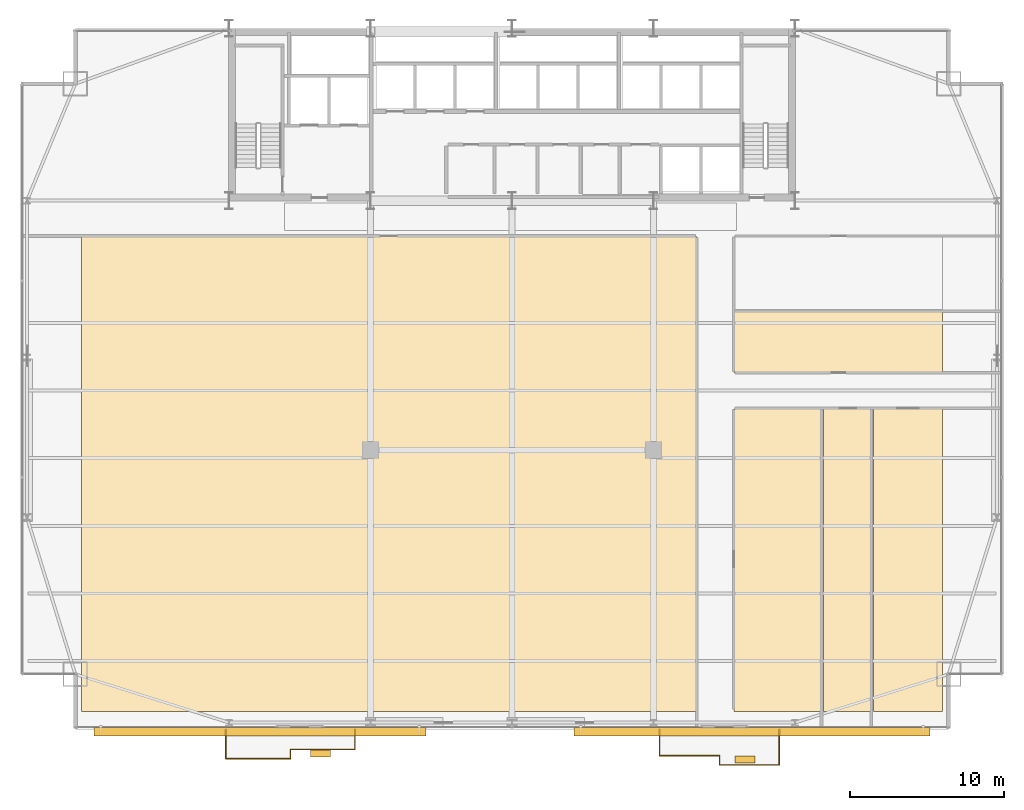
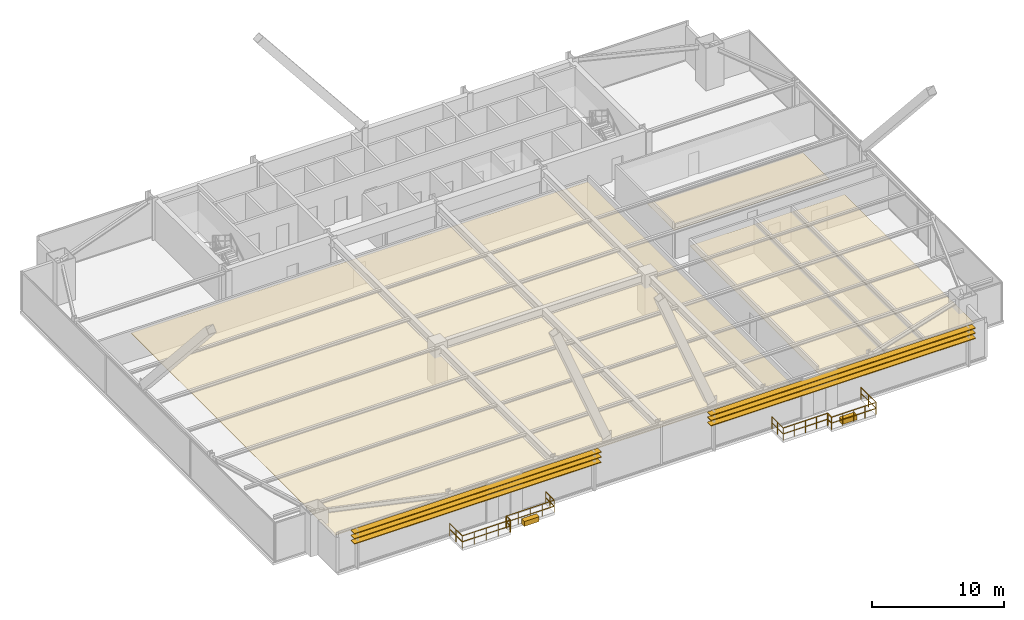
# One storey, part 34 of 35: 10 railings, 7 coverings, 6 shading devices.
"""IFC4 building model written with IfcOpenShell, lengths in metres."""

from ifc_helpers import new_model, si_unit, direction, frame, origin, origin_2d, place, context, subcontext, project, spatial, polyline, rectangle, outline, extrude, source, transform, mapped, material, layer, layer_set, type_object, type_shapes, element, save


model = new_model("IFC4")

# Units and contexts
model_context = context("Model", 3, precision=1e-05, world=origin(), true_north=direction((0.0, 1.0)))
body_context = subcontext(model_context, "Body", "Model", "MODEL_VIEW")
ifc_project = project(units=[si_unit("LENGTHUNIT", "METRE"), si_unit("AREAUNIT", "SQUARE_METRE"), si_unit("VOLUMEUNIT", "CUBIC_METRE"), si_unit("PLANEANGLEUNIT", "RADIAN"), si_unit("MASSUNIT", "GRAM", prefix="KILO")], contexts=[model_context])

# Site, building, storey
site_placement = place(None, origin())
site = spatial("IfcSite", under=ifc_project, at=site_placement, CompositionType="ELEMENT")
building_placement = place(site_placement, origin())
building = spatial("IfcBuilding", under=site, at=building_placement, Name="Varnel Quay Broadcast Tower", CompositionType="ELEMENT")
storey_placement = place(building_placement, frame((0.0, 0.0, 66.60009765625)))
storey = spatial("IfcBuildingStorey", under=building, at=storey_placement, Name="L15", CompositionType="ELEMENT", Elevation=66.60009765625)

# Coverings
ifc_material_1 = material(Name="Micro-Perforated Acoustic Ceiling Tile")
ifc_layer_1 = layer(ifc_material_1, 0.0400390625, Name="Micro-Perforated Acoustic Ceiling Tile")
ifc_layer_set_1 = layer_set([ifc_layer_1], Name="Micro-Perforated Acoustic Ceiling Tile")
covering_type_1 = type_object("IfcCoveringType", Name="Cov_AcousticCeiling", PredefinedType="CEILING", material=ifc_layer_set_1)
covering_1_placement = place(storey_placement, frame((0.0, 0.0, 2.579833984375)))
element("IfcCovering", 1, at=covering_1_placement, inside=storey, type_object=covering_type_1, Name="L15 Broadcast Seminar Room 1 Acoustic Ceiling", PredefinedType="CEILING", context=body_context, shape_type="SweptSolid", body=[
    extrude(outline(polyline([(5.985107421875, 2.375), (45.985107421875, 2.375), (45.985107421875, 33.264892578125), (5.985107421875, 33.264892578125), (5.985107421875, 2.375)])), origin(), (0.0, 0.0, 1.0), 0.0400390625),
])
covering_2_placement = place(storey_placement, frame((0.0, 0.0, 2.579833984375)))
element("IfcCovering", 2, at=covering_2_placement, inside=storey, type_object=covering_type_1, Name="L15 Press Briefing Room 2 Acoustic Ceiling", PredefinedType="CEILING", context=body_context, shape_type="SweptSolid", body=[
    extrude(outline(polyline([(48.455078125, 2.375), (54.195068359375, 2.375), (54.195068359375, 22.06494140625), (48.455078125, 22.06494140625), (48.455078125, 2.375)])), origin(), (0.0, 0.0, 1.0), 0.0400390625),
])
covering_3_placement = place(storey_placement, frame((0.0, 0.0, 2.579833984375)))
element("IfcCovering", 3, at=covering_3_placement, inside=storey, type_object=covering_type_1, Name="L15 Editorial Huddle Room 3 Acoustic Ceiling", PredefinedType="CEILING", context=body_context, shape_type="SweptSolid", body=[
    extrude(outline(polyline([(54.264892578125, 2.375), (57.43505859375, 2.375), (57.43505859375, 22.06494140625), (54.264892578125, 22.06494140625), (54.264892578125, 2.375)])), origin(), (0.0, 0.0, 1.0), 0.0400390625),
])
covering_4_placement = place(storey_placement, frame((0.0, 0.0, 2.579833984375)))
element("IfcCovering", 4, at=covering_4_placement, inside=storey, type_object=covering_type_1, Name="L15 Journalism Training Studio 4 Acoustic Ceiling", PredefinedType="CEILING", context=body_context, shape_type="SweptSolid", body=[
    extrude(outline(polyline([(57.5048828125, 2.375), (62.014892578125, 2.375), (62.014892578125, 22.06494140625), (57.5048828125, 22.06494140625), (57.5048828125, 2.375)])), origin(), (0.0, 0.0, 1.0), 0.0400390625),
])
covering_5_placement = place(storey_placement, frame((0.0, 0.0, 2.579833984375)))
element("IfcCovering", 5, at=covering_5_placement, inside=storey, type_object=covering_type_1, Name="L15 Catering Kitchen 5 Acoustic Ceiling", PredefinedType="CEILING", context=body_context, shape_type="SweptSolid", body=[
    extrude(outline(polyline([(48.455078125, 24.43505859375), (62.014892578125, 24.43505859375), (62.014892578125, 28.465087890625), (48.455078125, 28.465087890625), (48.455078125, 24.43505859375)])), origin(), (0.0, 0.0, 1.0), 0.0400390625),
])

# Railings
ifc_material_2 = material(Name="Anodised Bronze Aluminium 6063-T6", Category="aluminium")
railing_type = type_object("IfcRailingType", Name="Rail_Balustrade1150", PredefinedType="BALUSTRADE", material=ifc_material_2)
railing_1_placement = place(storey_placement, frame((15.389892578125, -0.695068359375, 0.0)))
element("IfcRailing", 6, at=railing_1_placement, inside=storey, type_object=railing_type, Name="L15 Terrace 1 Guard 1", PredefinedType="BALUSTRADE", context=body_context, shape_type="SweptSolid", body=[
    extrude(rectangle(XDim=0.048095703125, YDim=0.048095703125, at=origin_2d()), frame((0.0, 0.0, 1.1259765625), z_axis=(1.0, 0.0, 0.0), x_axis=(0.0, 1.0, 0.0)), (0.0, 0.0, 1.0), 4.2001953125),
    extrude(rectangle(XDim=0.048095703125, YDim=0.048095703125, at=origin_2d()), frame((0.0, 0.0, 0.574951171875), z_axis=(1.0, 0.0, 0.0), x_axis=(0.0, 1.0, 0.0)), (0.0, 0.0, 1.0), 4.2001953125),
    extrude(rectangle(XDim=0.0419921875, YDim=0.0419921875, at=origin_2d()), origin(), (0.0, 0.0, 1.0), 1.101806640625),
    extrude(rectangle(XDim=0.0419921875, YDim=0.0419921875, at=origin_2d()), frame((1.050048828125, 0.0, 0.0)), (0.0, 0.0, 1.0), 1.101806640625),
    extrude(rectangle(XDim=0.0419921875, YDim=0.0419921875, at=origin_2d()), frame((2.10009765625, 0.0, 0.0)), (0.0, 0.0, 1.0), 1.101806640625),
    extrude(rectangle(XDim=0.0419921875, YDim=0.0419921875, at=origin_2d()), frame((3.150146484375, 0.0, 0.0)), (0.0, 0.0, 1.0), 1.101806640625),
    extrude(rectangle(XDim=0.0419921875, YDim=0.0419921875, at=origin_2d()), frame((4.2001953125, 0.0, 0.0)), (0.0, 0.0, 1.0), 1.101806640625),
])
railing_2_placement = place(storey_placement, frame((19.590087890625, -0.695068359375, 0.0)))
element("IfcRailing", 7, at=railing_2_placement, inside=storey, type_object=railing_type, Name="L15 Terrace 1 Guard 2", PredefinedType="BALUSTRADE", context=body_context, shape_type="SweptSolid", body=[
    extrude(rectangle(XDim=0.048095703125, YDim=0.048095703125, at=origin_2d()), frame((0.0, 0.0, 1.1259765625), z_axis=(0.0, 1.0, 0.0), x_axis=(-1.0, 0.0, 0.0)), (0.0, 0.0, 1.0), 0.60009765625),
    extrude(rectangle(XDim=0.048095703125, YDim=0.048095703125, at=origin_2d()), frame((0.0, 0.0, 0.574951171875), z_axis=(0.0, 1.0, 0.0), x_axis=(-1.0, 0.0, 0.0)), (0.0, 0.0, 1.0), 0.60009765625),
    extrude(rectangle(XDim=0.0419921875, YDim=0.0419921875, at=origin_2d()), origin(), (0.0, 0.0, 1.0), 1.101806640625),
    extrude(rectangle(XDim=0.0419921875, YDim=0.0419921875, at=origin_2d()), frame((0.0, 0.60009765625, 0.0)), (0.0, 0.0, 1.0), 1.101806640625),
])
railing_3_placement = place(storey_placement, frame((19.590087890625, -0.094970703125, 0.0)))
element("IfcRailing", 8, at=railing_3_placement, inside=storey, type_object=railing_type, Name="L15 Terrace 1 Guard 3", PredefinedType="BALUSTRADE", context=body_context, shape_type="SweptSolid", body=[
    extrude(rectangle(XDim=0.048095703125, YDim=0.048095703125, at=origin_2d()), frame((0.0, 0.0, 1.1259765625), z_axis=(1.0, 0.0, 0.0), x_axis=(0.0, 1.0, 0.0)), (0.0, 0.0, 1.0), 4.199951171875),
    extrude(rectangle(XDim=0.048095703125, YDim=0.048095703125, at=origin_2d()), frame((0.0, 0.0, 0.574951171875), z_axis=(1.0, 0.0, 0.0), x_axis=(0.0, 1.0, 0.0)), (0.0, 0.0, 1.0), 4.199951171875),
    extrude(rectangle(XDim=0.0419921875, YDim=0.0419921875, at=origin_2d()), origin(), (0.0, 0.0, 1.0), 1.101806640625),
    extrude(rectangle(XDim=0.0419921875, YDim=0.0419921875, at=origin_2d()), frame((1.050048828125, 0.0, 0.0)), (0.0, 0.0, 1.0), 1.101806640625),
    extrude(rectangle(XDim=0.0419921875, YDim=0.0419921875, at=origin_2d()), frame((2.10009765625, 0.0, 0.0)), (0.0, 0.0, 1.0), 1.101806640625),
    extrude(rectangle(XDim=0.0419921875, YDim=0.0419921875, at=origin_2d()), frame((3.14990234375, 0.0, 0.0)), (0.0, 0.0, 1.0), 1.101806640625),
    extrude(rectangle(XDim=0.0419921875, YDim=0.0419921875, at=origin_2d()), frame((4.199951171875, 0.0, 0.0)), (0.0, 0.0, 1.0), 1.101806640625),
])
railing_4_placement = place(storey_placement, frame((23.7900390625, -0.094970703125, 0.0)))
element("IfcRailing", 9, at=railing_4_placement, inside=storey, type_object=railing_type, Name="L15 Terrace 1 Guard 4", PredefinedType="BALUSTRADE", context=body_context, shape_type="SweptSolid", body=[
    extrude(rectangle(XDim=0.048095703125, YDim=0.048095703125, at=origin_2d()), frame((0.0, 0.0, 1.1259765625), z_axis=(0.0, 1.0, 0.0), x_axis=(-1.0, 0.0, 0.0)), (0.0, 0.0, 1.0), 1.294921875),
    extrude(rectangle(XDim=0.048095703125, YDim=0.048095703125, at=origin_2d()), frame((0.0, 0.0, 0.574951171875), z_axis=(0.0, 1.0, 0.0), x_axis=(-1.0, 0.0, 0.0)), (0.0, 0.0, 1.0), 1.294921875),
    extrude(rectangle(XDim=0.0419921875, YDim=0.0419921875, at=origin_2d()), origin(), (0.0, 0.0, 1.0), 1.101806640625),
    extrude(rectangle(XDim=0.0419921875, YDim=0.0419921875, at=origin_2d()), frame((0.0, 0.6474609375, 0.0)), (0.0, 0.0, 1.0), 1.101806640625),
    extrude(rectangle(XDim=0.0419921875, YDim=0.0419921875, at=origin_2d()), frame((0.0, 1.294921875, 0.0)), (0.0, 0.0, 1.0), 1.101806640625),
])
railing_5_placement = place(storey_placement, frame((15.389892578125, 1.199951171875, 0.0)))
element("IfcRailing", 10, at=railing_5_placement, inside=storey, type_object=railing_type, Name="L15 Terrace 1 Guard 6", PredefinedType="BALUSTRADE", context=body_context, shape_type="SweptSolid", body=[
    extrude(rectangle(XDim=0.048095703125, YDim=0.048095703125, at=origin_2d()), frame((0.0, 0.0, 1.1259765625), z_axis=(0.0, -1.0, 0.0), x_axis=(1.0, 0.0, 0.0)), (0.0, 0.0, 1.0), 1.89501953125),
    extrude(rectangle(XDim=0.048095703125, YDim=0.048095703125, at=origin_2d()), frame((0.0, 0.0, 0.574951171875), z_axis=(0.0, -1.0, 0.0), x_axis=(1.0, 0.0, 0.0)), (0.0, 0.0, 1.0), 1.89501953125),
    extrude(rectangle(XDim=0.0419921875, YDim=0.0419921875, at=origin_2d()), origin(), (0.0, 0.0, 1.0), 1.101806640625),
    extrude(rectangle(XDim=0.0419921875, YDim=0.0419921875, at=origin_2d()), frame((0.0, -0.947509765625, 0.0)), (0.0, 0.0, 1.0), 1.101806640625),
    extrude(rectangle(XDim=0.0419921875, YDim=0.0419921875, at=origin_2d()), frame((0.0, -1.89501953125, 0.0)), (0.0, 0.0, 1.0), 1.101806640625),
])
railing_6_placement = place(storey_placement, frame((43.60009765625, -0.5048828125, 0.0)))
element("IfcRailing", 11, at=railing_6_placement, inside=storey, type_object=railing_type, Name="L15 Terrace 2 Guard 1", PredefinedType="BALUSTRADE", context=body_context, shape_type="SweptSolid", body=[
    extrude(rectangle(XDim=0.048095703125, YDim=0.048095703125, at=origin_2d()), frame((0.0, 0.0, 1.1259765625), z_axis=(1.0, 0.0, 0.0), x_axis=(0.0, 1.0, 0.0)), (0.0, 0.0, 1.0), 3.89501953125),
    extrude(rectangle(XDim=0.048095703125, YDim=0.048095703125, at=origin_2d()), frame((0.0, 0.0, 0.574951171875), z_axis=(1.0, 0.0, 0.0), x_axis=(0.0, 1.0, 0.0)), (0.0, 0.0, 1.0), 3.89501953125),
    extrude(rectangle(XDim=0.0419921875, YDim=0.0419921875, at=origin_2d()), origin(), (0.0, 0.0, 1.0), 1.101806640625),
    extrude(rectangle(XDim=0.0419921875, YDim=0.0419921875, at=origin_2d()), frame((0.9736328125, 0.0, 0.0)), (0.0, 0.0, 1.0), 1.101806640625),
    extrude(rectangle(XDim=0.0419921875, YDim=0.0419921875, at=origin_2d()), frame((1.947509765625, 0.0, 0.0)), (0.0, 0.0, 1.0), 1.101806640625),
    extrude(rectangle(XDim=0.0419921875, YDim=0.0419921875, at=origin_2d()), frame((2.92138671875, 0.0, 0.0)), (0.0, 0.0, 1.0), 1.101806640625),
    extrude(rectangle(XDim=0.0419921875, YDim=0.0419921875, at=origin_2d()), frame((3.89501953125, 0.0, 0.0)), (0.0, 0.0, 1.0), 1.101806640625),
])
railing_7_placement = place(storey_placement, frame((47.4951171875, -0.5048828125, 0.0)))
element("IfcRailing", 12, at=railing_7_placement, inside=storey, type_object=railing_type, Name="L15 Terrace 2 Guard 2", PredefinedType="BALUSTRADE", context=body_context, shape_type="SweptSolid", body=[
    extrude(rectangle(XDim=0.048095703125, YDim=0.048095703125, at=origin_2d()), frame((0.0, 0.0, 1.1259765625), z_axis=(0.0, -1.0, 0.0), x_axis=(1.0, 0.0, 0.0)), (0.0, 0.0, 1.0), 0.60009765625),
    extrude(rectangle(XDim=0.048095703125, YDim=0.048095703125, at=origin_2d()), frame((0.0, 0.0, 0.574951171875), z_axis=(0.0, -1.0, 0.0), x_axis=(1.0, 0.0, 0.0)), (0.0, 0.0, 1.0), 0.60009765625),
    extrude(rectangle(XDim=0.0419921875, YDim=0.0419921875, at=origin_2d()), origin(), (0.0, 0.0, 1.0), 1.101806640625),
    extrude(rectangle(XDim=0.0419921875, YDim=0.0419921875, at=origin_2d()), frame((0.0, -0.60009765625, 0.0)), (0.0, 0.0, 1.0), 1.101806640625),
])
railing_8_placement = place(storey_placement, frame((47.4951171875, -1.10498046875, 0.0)))
element("IfcRailing", 13, at=railing_8_placement, inside=storey, type_object=railing_type, Name="L15 Terrace 2 Guard 3", PredefinedType="BALUSTRADE", context=body_context, shape_type="SweptSolid", body=[
    extrude(rectangle(XDim=0.048095703125, YDim=0.048095703125, at=origin_2d()), frame((0.0, 0.0, 1.1259765625), z_axis=(1.0, 0.0, 0.0), x_axis=(0.0, 1.0, 0.0)), (0.0, 0.0, 1.0), 3.894775390625),
    extrude(rectangle(XDim=0.048095703125, YDim=0.048095703125, at=origin_2d()), frame((0.0, 0.0, 0.574951171875), z_axis=(1.0, 0.0, 0.0), x_axis=(0.0, 1.0, 0.0)), (0.0, 0.0, 1.0), 3.894775390625),
    extrude(rectangle(XDim=0.0419921875, YDim=0.0419921875, at=origin_2d()), origin(), (0.0, 0.0, 1.0), 1.101806640625),
    extrude(rectangle(XDim=0.0419921875, YDim=0.0419921875, at=origin_2d()), frame((0.9736328125, 0.0, 0.0)), (0.0, 0.0, 1.0), 1.101806640625),
    extrude(rectangle(XDim=0.0419921875, YDim=0.0419921875, at=origin_2d()), frame((1.947265625, 0.0, 0.0)), (0.0, 0.0, 1.0), 1.101806640625),
    extrude(rectangle(XDim=0.0419921875, YDim=0.0419921875, at=origin_2d()), frame((2.921142578125, 0.0, 0.0)), (0.0, 0.0, 1.0), 1.101806640625),
    extrude(rectangle(XDim=0.0419921875, YDim=0.0419921875, at=origin_2d()), frame((3.894775390625, 0.0, 0.0)), (0.0, 0.0, 1.0), 1.101806640625),
])
railing_9_placement = place(storey_placement, frame((51.389892578125, -1.10498046875, 0.0)))
element("IfcRailing", 14, at=railing_9_placement, inside=storey, type_object=railing_type, Name="L15 Terrace 2 Guard 4", PredefinedType="BALUSTRADE", context=body_context, shape_type="SweptSolid", body=[
    extrude(rectangle(XDim=0.048095703125, YDim=0.048095703125, at=origin_2d()), frame((0.0, 0.0, 1.1259765625), z_axis=(0.0, 1.0, 0.0), x_axis=(-1.0, 0.0, 0.0)), (0.0, 0.0, 1.0), 2.304931640625),
    extrude(rectangle(XDim=0.048095703125, YDim=0.048095703125, at=origin_2d()), frame((0.0, 0.0, 0.574951171875), z_axis=(0.0, 1.0, 0.0), x_axis=(-1.0, 0.0, 0.0)), (0.0, 0.0, 1.0), 2.304931640625),
    extrude(rectangle(XDim=0.0419921875, YDim=0.0419921875, at=origin_2d()), origin(), (0.0, 0.0, 1.0), 1.101806640625),
    extrude(rectangle(XDim=0.0419921875, YDim=0.0419921875, at=origin_2d()), frame((0.0, 1.15234375, 0.0)), (0.0, 0.0, 1.0), 1.101806640625),
    extrude(rectangle(XDim=0.0419921875, YDim=0.0419921875, at=origin_2d()), frame((0.0, 2.304931640625, 0.0)), (0.0, 0.0, 1.0), 1.101806640625),
])
railing_10_placement = place(storey_placement, frame((43.60009765625, 1.199951171875, 0.0)))
element("IfcRailing", 15, at=railing_10_placement, inside=storey, type_object=railing_type, Name="L15 Terrace 2 Guard 6", PredefinedType="BALUSTRADE", context=body_context, shape_type="SweptSolid", body=[
    extrude(rectangle(XDim=0.048095703125, YDim=0.048095703125, at=origin_2d()), frame((0.0, 0.0, 1.1259765625), z_axis=(0.0, -1.0, 0.0), x_axis=(1.0, 0.0, 0.0)), (0.0, 0.0, 1.0), 1.704833984375),
    extrude(rectangle(XDim=0.048095703125, YDim=0.048095703125, at=origin_2d()), frame((0.0, 0.0, 0.574951171875), z_axis=(0.0, -1.0, 0.0), x_axis=(1.0, 0.0, 0.0)), (0.0, 0.0, 1.0), 1.704833984375),
    extrude(rectangle(XDim=0.0419921875, YDim=0.0419921875, at=origin_2d()), origin(), (0.0, 0.0, 1.0), 1.101806640625),
    extrude(rectangle(XDim=0.0419921875, YDim=0.0419921875, at=origin_2d()), frame((0.0, -0.8525390625, 0.0)), (0.0, 0.0, 1.0), 1.101806640625),
    extrude(rectangle(XDim=0.0419921875, YDim=0.0419921875, at=origin_2d()), frame((0.0, -1.704833984375, 0.0)), (0.0, 0.0, 1.0), 1.101806640625),
])

# Coverings
ifc_material_3 = material(Name="Bronze-Terracotta Extruded Ceramic Blade", Category="masonry")
ifc_layer_2 = layer(ifc_material_3, 0.449951171875, Name="Bronze-Terracotta Extruded Ceramic Blade")
ifc_layer_set_2 = layer_set([ifc_layer_2], Name="Bronze-Terracotta Extruded Ceramic Blade")
covering_type_2 = type_object("IfcCoveringType", Name="Cov_BronzePlanter", PredefinedType="CLADDING", material=ifc_layer_set_2)
shared_shape_1 = source(origin(), body_context, "Body", "SweptSolid", [
    extrude(rectangle(XDim=1.300048828125, YDim=0.449951171875, at=origin_2d()), origin(), (0.0, 0.0, 1.0), 0.449951171875),
])
type_shapes(covering_type_2, [shared_shape_1])
for number, where, z_axis, x_axis, name in (
    (16, (21.550048828125, -0.344970703125, 0.0), (0.0, 0.0, 1.0), (1.0, 0.0, 0.0), "L15 Terrace 1 Bronze Planter"),
    (17, (49.14990234375, -0.7548828125, 0.0), (0.0, 0.0, 1.0), (1.0, 0.0, 0.0), "L15 Terrace 2 Bronze Planter"),
):
    element("IfcCovering", number, at=place(storey_placement, frame(where, z_axis=z_axis, x_axis=x_axis)), inside=storey, type_object=covering_type_2, Name=name, PredefinedType="CLADDING", context=body_context, shape_type="MappedRepresentation", body=[
        mapped(shared_shape_1, transform((0.0, 0.0, 0.0), x_axis=(1.0, 0.0, 0.0), y_axis=(0.0, 1.0, 0.0), z_axis=(0.0, 0.0, 1.0), scale=1.0)),
    ])

# Shading devices
ifc_layer_3 = layer(ifc_material_3, 0.06494140625, Name="Bronze-Terracotta Extruded Ceramic Blade")
ifc_layer_set_3 = layer_set([ifc_layer_3], Name="Bronze-Terracotta Extruded Ceramic Blade")
shading_device_type = type_object("IfcShadingDeviceType", Name="Shade_LouvreBlade550", PredefinedType="JALOUSIE", material=ifc_layer_set_3)
shared_shape_2 = source(origin(), body_context, "Body", "SweptSolid", [
    extrude(rectangle(XDim=23.178955078125, YDim=0.550048828125, at=origin_2d()), origin(), (0.0, 0.0, 1.0), 0.06494140625),
])
for number, where, z_axis, x_axis, name in (
    (18, (49.611083984375, 1.06005859375, 2.447509765625), (0.0, 0.0, 1.0), (1.0, 0.0, 0.0), "L15 Lobe 2 Horizontal Louvre Blade 1"),
    (19, (49.611083984375, 1.06005859375, 2.927490234375), (0.0, 0.0, 1.0), (1.0, 0.0, 0.0), "L15 Lobe 2 Horizontal Louvre Blade 2"),
    (20, (49.611083984375, 1.06005859375, 3.387451171875), (0.0, 0.0, 1.0), (1.0, 0.0, 0.0), "L15 Lobe 2 Horizontal Louvre Blade 3"),
):
    element("IfcShadingDevice", number, at=place(storey_placement, frame(where, z_axis=z_axis, x_axis=x_axis)), inside=storey, type_object=shading_device_type, Name=name, PredefinedType="JALOUSIE", context=body_context, shape_type="MappedRepresentation", body=[
        mapped(shared_shape_2, transform((0.0, 0.0, 0.0), x_axis=(1.0, 0.0, 0.0), y_axis=(0.0, 1.0, 0.0), z_axis=(0.0, 0.0, 1.0), scale=1.0)),
    ])
shared_shape_3 = source(origin(), body_context, "Body", "SweptSolid", [
    extrude(rectangle(XDim=21.62109375, YDim=0.550048828125, at=origin_2d()), origin(), (0.0, 0.0, 1.0), 0.06494140625),
])
type_shapes(shading_device_type, [shared_shape_2, shared_shape_3])
for number, where, z_axis, x_axis, name in (
    (21, (17.610107421875, 1.06005859375, 2.447509765625), (0.0, 0.0, 1.0), (1.0, 0.0, 0.0), "L15 Lobe 1 Horizontal Louvre Blade 1"),
    (22, (17.610107421875, 1.06005859375, 2.927490234375), (0.0, 0.0, 1.0), (1.0, 0.0, 0.0), "L15 Lobe 1 Horizontal Louvre Blade 2"),
    (23, (17.610107421875, 1.06005859375, 3.387451171875), (0.0, 0.0, 1.0), (1.0, 0.0, 0.0), "L15 Lobe 1 Horizontal Louvre Blade 3"),
):
    element("IfcShadingDevice", number, at=place(storey_placement, frame(where, z_axis=z_axis, x_axis=x_axis)), inside=storey, type_object=shading_device_type, Name=name, PredefinedType="JALOUSIE", context=body_context, shape_type="MappedRepresentation", body=[
        mapped(shared_shape_3, transform((0.0, 0.0, 0.0), x_axis=(1.0, 0.0, 0.0), y_axis=(0.0, 1.0, 0.0), z_axis=(0.0, 0.0, 1.0), scale=1.0)),
    ])

save(model, "model.ifc")
